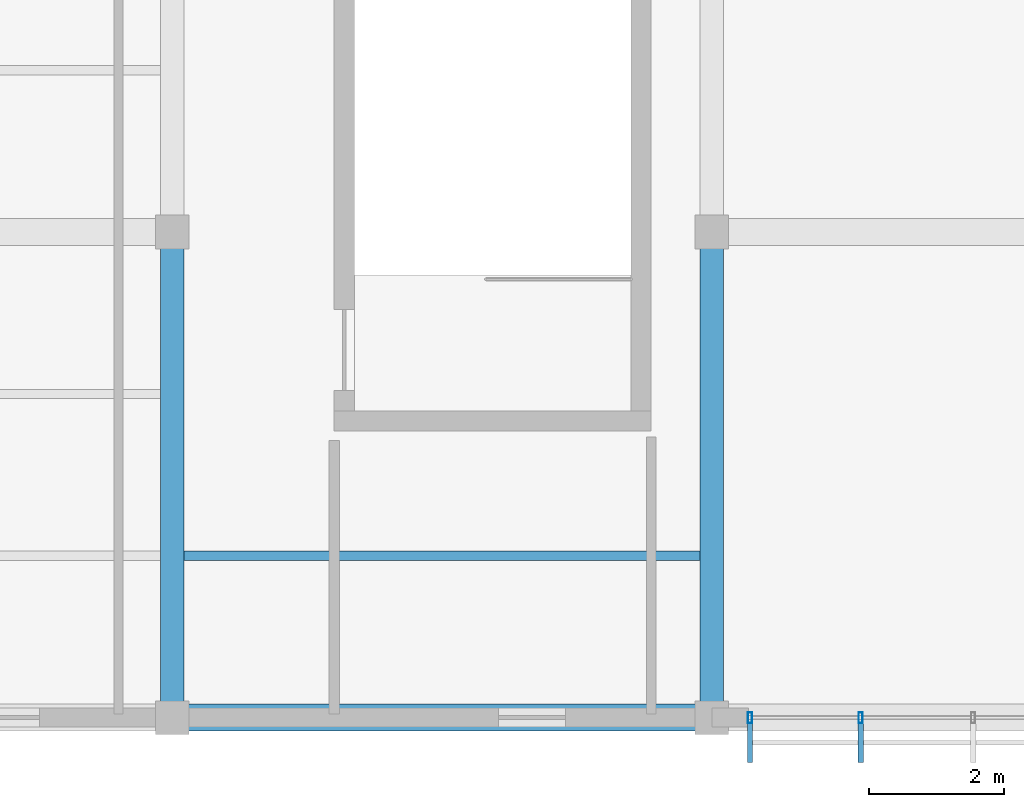
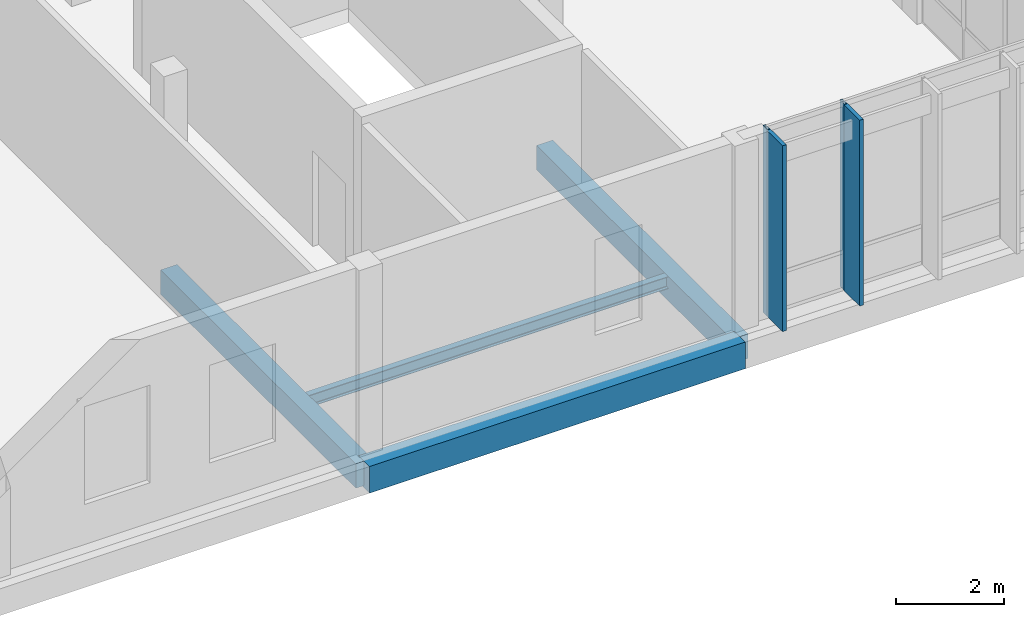
# One storey, part 24 of 182: 4 beams, 4 members, 1 element without a shape of its own.
"""IFC4 building model written with IfcOpenShell, lengths in metres."""

from ifc_helpers import new_model, si_unit, direction, frame, origin, origin_2d, place, context, subcontext, project, spatial, rectangle, hollow_rectangle, i_section, extrude, material, material_profile, profile_set, type_object, element, aggregate, save


model = new_model("IFC4")

# Units and contexts
model_context = context("Model", 3, precision=1e-05, world=origin(), true_north=direction((0.0, 1.0)))
body_context = subcontext(model_context, "Body", "Model", "MODEL_VIEW")
ifc_project = project(units=[si_unit("LENGTHUNIT", "METRE"), si_unit("AREAUNIT", "SQUARE_METRE"), si_unit("VOLUMEUNIT", "CUBIC_METRE"), si_unit("PLANEANGLEUNIT", "RADIAN"), si_unit("MASSUNIT", "GRAM", prefix="KILO")], contexts=[model_context])

# Site, building, storey
site_placement = place(None, origin())
site = spatial("IfcSite", under=ifc_project, at=site_placement, CompositionType="ELEMENT")
building_placement = place(site_placement, origin())
building = spatial("IfcBuilding", under=site, at=building_placement, Name="Chiffa Square Polytechnic", CompositionType="ELEMENT")
storey_placement = place(building_placement, frame((0.0, 0.0, 9.60009765625)))
storey = spatial("IfcBuildingStorey", under=building, at=storey_placement, Name="L02", CompositionType="ELEMENT", Elevation=9.60009765625)

# Beams
ifc_material_1 = material(Name="Concrete C35/45", Category="concrete")
ifc_material_profile_1 = material_profile(ifc_material_1, rectangle(XDim=0.35009765625, YDim=0.550048828125, at=origin_2d()), Name="RC 350x550")
ifc_profile_set_1 = profile_set([ifc_material_profile_1], Name="Concrete C35/45")
beam_type_1 = type_object("IfcBeamType", Name="BM-RC-350X550", PredefinedType="BEAM", material=ifc_profile_set_1)
for number, where, z_axis, x_axis, name in (
    (1, (32.0, 0.0, -0.59521484375), (0.0, 1.0, 0.0), (-1.0, 0.0, 0.0), "Primary floor girder BM-V3-L02-Y-0320-0000"),
    (2, (40.0, 0.0, -0.59521484375), (0.0, 1.0, 0.0), (-1.0, 0.0, 0.0), "Primary floor girder BM-V3-L02-Y-0400-0000"),
):
    element("IfcBeam", number, at=place(storey_placement, frame(where, z_axis=z_axis, x_axis=x_axis)), inside=storey, type_object=beam_type_1, Name=name, PredefinedType="BEAM", context=body_context, shape_type="SweptSolid", body=[
        extrude(rectangle(XDim=0.35009765625, YDim=0.550048828125, at=origin_2d()), origin(), (0.0, 0.0, 1.0), 7.199951171875),
    ])
ifc_material_profile_2 = material_profile(ifc_material_1, rectangle(XDim=0.39990234375, YDim=0.60009765625, at=origin_2d()), Name="RC 400x600")
ifc_profile_set_2 = profile_set([ifc_material_profile_2], Name="Concrete C35/45")
beam_type_2 = type_object("IfcBeamType", Name="BM-RC-400X600", PredefinedType="BEAM", material=ifc_profile_set_2)
beam_1_placement = place(storey_placement, frame((32.0, 0.0, -0.6201171875), z_axis=(1.0, 0.0, 0.0), x_axis=(0.0, 1.0, 0.0)))
element("IfcBeam", 3, at=beam_1_placement, inside=storey, type_object=beam_type_2, Name="Primary floor girder BM-V3-L02-X-0320-0000", PredefinedType="BEAM", context=body_context, shape_type="SweptSolid", body=[
    extrude(rectangle(XDim=0.39990234375, YDim=0.60009765625, at=origin_2d()), origin(), (0.0, 0.0, 1.0), 8.0),
])

# Curtain wall, members
ifc_material_2 = material(Name="Aluminium EN AW-6060 T66 and glulam shading", Category="wood")
curtain_wall_type = type_object("IfcCurtainWallType", Name="CW-VERT-450X440", PredefinedType="USERDEFINED", material=ifc_material_2)
curtain_wall_placement = place(storey_placement, origin())
curtain_wall = element("IfcCurtainWall", 4, at=curtain_wall_placement, inside=storey, type_object=curtain_wall_type, Name="Curtain wall CW-V3-L02-168", ObjectType="CURTAIN WALL", PredefinedType="USERDEFINED")
ifc_material_3 = material(Name="Aluminium EN AW-6060 T66", Category="aluminium")
ifc_material_profile_3 = material_profile(ifc_material_3, hollow_rectangle(XDim=0.06005859375, YDim=0.159912109375, WallThickness=0.00390625, at=origin_2d()), Name="ALU 60x160x4")
ifc_profile_set_3 = profile_set([ifc_material_profile_3], Name="Aluminium EN AW-6060 T66")
member_type_1 = type_object("IfcMemberType", Name="CWM-ALU-65X150", PredefinedType="MULLION", material=ifc_profile_set_3)
member_1_placement = place(storey_placement, frame((40.56494140625, 0.0, 0.0), z_axis=(0.0, 0.0, 1.0), x_axis=(1.0, 0.0, 0.0)))
member_1 = element("IfcMember", 5, at=member_1_placement, type_object=member_type_1, Name="Curtain wall mullion CW-V3-L02-168-M00", PredefinedType="MULLION", context=body_context, shape_type="SweptSolid", body=[
    extrude(hollow_rectangle(XDim=0.06005859375, YDim=0.159912109375, WallThickness=0.00390625, at=origin_2d()), origin(), (0.0, 0.0, 1.0), 4.199951171875),
])
member_2_placement = place(storey_placement, frame((42.20703125, 0.0, 0.0), z_axis=(0.0, 0.0, 1.0), x_axis=(1.0, 0.0, 0.0)))
member_2 = element("IfcMember", 6, at=member_2_placement, type_object=member_type_1, Name="Curtain wall mullion CW-V3-L02-168-M01", PredefinedType="MULLION", context=body_context, shape_type="SweptSolid", body=[
    extrude(hollow_rectangle(XDim=0.06005859375, YDim=0.159912109375, WallThickness=0.00390625, at=origin_2d()), origin(), (0.0, 0.0, 1.0), 4.199951171875),
])
ifc_material_4 = material(Name="Glulam GL28h", Category="wood")
ifc_material_profile_4 = material_profile(ifc_material_4, rectangle(XDim=0.080078125, YDim=0.580078125, at=origin_2d()), Name="GL28h 80x580")
ifc_profile_set_4 = profile_set([ifc_material_profile_4], Name="Glulam GL28h")
member_type_2 = type_object("IfcMemberType", Name="CWM-GL-80X580", PredefinedType="MULLION", material=ifc_profile_set_4)
member_3_placement = place(storey_placement, frame((40.56494140625, -0.3720703125, 0.010009765625), z_axis=(0.0, 0.0, 1.0), x_axis=(1.0, 0.0, 0.0)))
member_3 = element("IfcMember", 7, at=member_3_placement, type_object=member_type_2, Name="Exterior glulam solar fin CW-V3-L02-168-FN00", PredefinedType="MULLION", context=body_context, shape_type="SweptSolid", body=[
    extrude(rectangle(XDim=0.080078125, YDim=0.580078125, at=origin_2d()), origin(), (0.0, 0.0, 1.0), 4.179931640625),
])
member_4_placement = place(storey_placement, frame((42.20703125, -0.3720703125, 0.010009765625), z_axis=(0.0, 0.0, 1.0), x_axis=(1.0, 0.0, 0.0)))
member_4 = element("IfcMember", 8, at=member_4_placement, type_object=member_type_2, Name="Exterior glulam solar fin CW-V3-L02-168-FN01", PredefinedType="MULLION", context=body_context, shape_type="SweptSolid", body=[
    extrude(rectangle(XDim=0.080078125, YDim=0.580078125, at=origin_2d()), origin(), (0.0, 0.0, 1.0), 4.179931640625),
])
aggregate(curtain_wall, [member_1, member_3, member_2, member_4])

# Beam
ifc_material_5 = material(Name="Steel S355", Category="steel")
ifc_material_profile_5 = material_profile(ifc_material_5, i_section(OverallWidth=0.135009765625, OverallDepth=0.27001953125, WebThickness=0.006591796875, FlangeThickness=0.01025390625, FilletRadius=0.014892578125, at=origin_2d()), Name="IPE 270")
ifc_profile_set_5 = profile_set([ifc_material_profile_5], Name="Steel S355")
beam_type_3 = type_object("IfcBeamType", Name="JST-STL-IPE270", PredefinedType="JOIST", material=ifc_profile_set_5)
beam_2_placement = place(storey_placement, frame((32.173095703125, 2.39990234375, -0.455078125), z_axis=(1.0, 0.0, 0.0), x_axis=(0.0, 1.0, 0.0)))
element("IfcBeam", 9, at=beam_2_placement, inside=storey, type_object=beam_type_3, Name="Secondary floor joist JST-V3-L02-0320-0024", PredefinedType="JOIST", context=body_context, shape_type="SweptSolid", body=[
    extrude(i_section(OverallWidth=0.135009765625, OverallDepth=0.27001953125, WebThickness=0.006591796875, FlangeThickness=0.01025390625, FilletRadius=0.014892578125, at=origin_2d()), origin(), (0.0, 0.0, 1.0), 7.65380859375),
])

save(model, "model.ifc")
